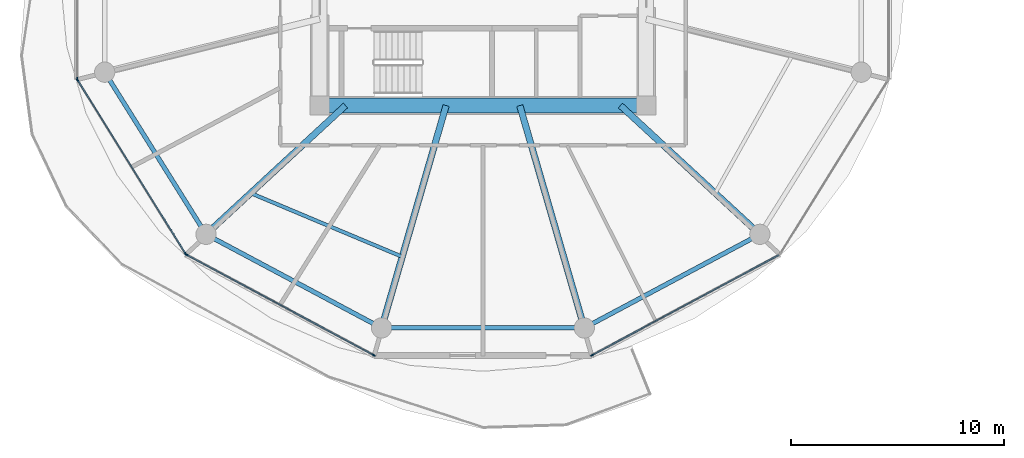
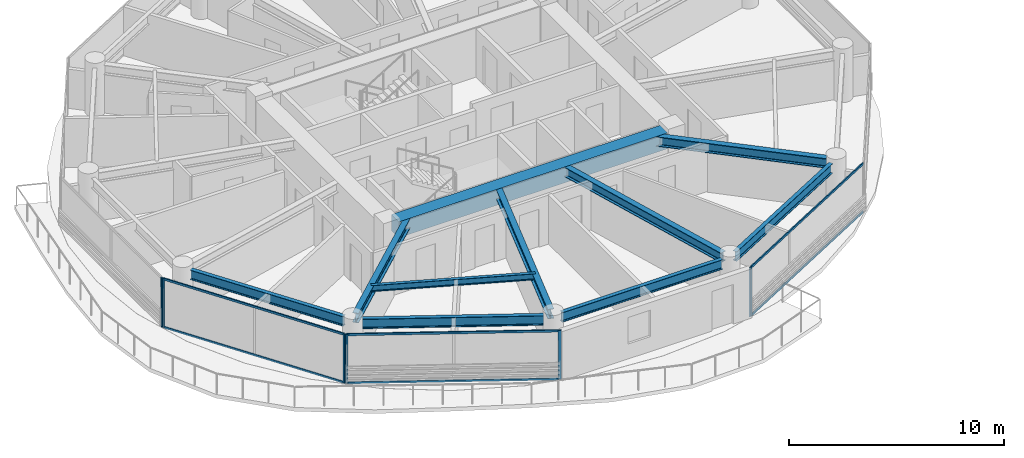
# One storey, part 2 of 27: 12 members, 10 beams, 4 elements without a shape of their own.
"""IFC4 building model written with IfcOpenShell, lengths in metres."""

from ifc_helpers import new_model, si_unit, direction, frame, origin, origin_2d, place, context, subcontext, project, spatial, rectangle, i_section, extrude, source, transform, mapped, material, layer, layer_set, material_profile, profile_set, type_object, type_shapes, element, aggregate, save


model = new_model("IFC4")

# Units and contexts
model_context = context("Model", 3, precision=1e-05, world=origin(), true_north=direction((0.0, 1.0)))
body_context = subcontext(model_context, "Body", "Model", "MODEL_VIEW")
ifc_project = project(units=[si_unit("LENGTHUNIT", "METRE"), si_unit("AREAUNIT", "SQUARE_METRE"), si_unit("VOLUMEUNIT", "CUBIC_METRE"), si_unit("PLANEANGLEUNIT", "RADIAN"), si_unit("MASSUNIT", "GRAM", prefix="KILO")], contexts=[model_context])

# Site, building, storey
site_placement = place(None, origin())
site = spatial("IfcSite", under=ifc_project, at=site_placement, CompositionType="ELEMENT")
building_placement = place(site_placement, origin())
building = spatial("IfcBuilding", under=site, at=building_placement, Name="Norrkilde Senior Care Towers", CompositionType="ELEMENT")
storey_placement = place(building_placement, frame((0.0, 0.0, 46.0)))
storey = spatial("IfcBuildingStorey", under=building, at=storey_placement, Name="L13", CompositionType="ELEMENT", Elevation=46.0)

# Beams
ifc_material_1 = material(Name="Concrete C60/75", Category="concrete")
ifc_material_profile_1 = material_profile(ifc_material_1, rectangle(XDim=0.699951171875, YDim=0.89990234375, at=origin_2d()), Name="RC BM 700x900")
ifc_profile_set_1 = profile_set([ifc_material_profile_1], Name="Concrete C60/75")
beam_type_1 = type_object("IfcBeamType", Name="Core Coupling Girder 700x900", PredefinedType="USERDEFINED", material=ifc_profile_set_1)
shared_shape_1 = source(origin(), body_context, "Body", "SweptSolid", [
    extrude(rectangle(XDim=0.699951171875, YDim=0.89990234375, at=origin_2d()), origin(), (0.0, 0.0, 1.0), 14.43994140625),
])
type_shapes(beam_type_1, [shared_shape_1])
beam_1_placement = place(storey_placement, frame((-35.219970703125, -5.949951171875, 2.340087890625), z_axis=(1.0, 0.0, 0.0), x_axis=(0.0, 1.0, 0.0)))
element("IfcBeam", 1, at=beam_1_placement, inside=storey, type_object=beam_type_1, Name="L13 Core W S Coupling Girder", ObjectType="GIRDER", PredefinedType="USERDEFINED", context=body_context, shape_type="MappedRepresentation", body=[
    mapped(shared_shape_1, transform((0.0, 0.0, 0.0), x_axis=(1.0, 0.0, 0.0), y_axis=(0.0, 1.0, 0.0), z_axis=(0.0, 0.0, 1.0), scale=1.0)),
])
ifc_material_2 = material(Name="Steel S355", Category="steel")
ifc_material_profile_2 = material_profile(ifc_material_2, i_section(OverallWidth=0.2099609375, OverallDepth=0.550048828125, WebThickness=0.010986328125, FlangeThickness=0.01708984375, FilletRadius=0.02392578125, at=origin_2d()), Name="IPE 550")
ifc_profile_set_2 = profile_set([ifc_material_profile_2], Name="Steel S355")
beam_type_2 = type_object("IfcBeamType", Name="Perimeter Ring Spandrel Z1 IPE550", PredefinedType="SPANDREL", material=ifc_profile_set_2)
shared_shape_2 = source(origin(), body_context, "Body", "SweptSolid", [
    extrude(i_section(OverallWidth=0.2099609375, OverallDepth=0.550048828125, WebThickness=0.010986328125, FlangeThickness=0.01708984375, FilletRadius=0.02392578125, at=origin_2d()), origin(), (0.0, 0.0, 1.0), 8.090576171875),
])
beam_2_placement = place(storey_placement, frame((-45.494140625, -4.755859375, 2.514892578125), z_axis=(0.530004364821, -0.84799491347, 0.0), x_axis=(0.84799491347, 0.530004364821, 0.0)))
element("IfcBeam", 2, at=beam_2_placement, inside=storey, type_object=beam_type_2, Name="L13 Drum W Perimeter Spandrel 07", PredefinedType="SPANDREL", context=body_context, shape_type="MappedRepresentation", body=[
    mapped(shared_shape_2, transform((0.0, 0.0, 0.0), x_axis=(1.0, 0.0, 0.0), y_axis=(0.0, 1.0, 0.0), z_axis=(0.0, 0.0, 1.0), scale=1.0)),
])
shared_shape_3 = source(origin(), body_context, "Body", "SweptSolid", [
    extrude(i_section(OverallWidth=0.2099609375, OverallDepth=0.550048828125, WebThickness=0.010986328125, FlangeThickness=0.01708984375, FilletRadius=0.02392578125, at=origin_2d()), origin(), (0.0, 0.0, 1.0), 8.452880859375),
])
for number, where, z_axis, x_axis, name in (
    (3, (-40.591552734375, -12.190185546875, 2.514892578125), (0.882368931134, -0.470558252898, 0.0), (0.470558252898, 0.882368931134, 0.0), "L13 Drum W Perimeter Spandrel 08"),
    (4, (-22.866943359375, -16.167724609375, 2.514892578125), (0.882368931134, 0.470558252898, 0.0), (-0.470558252898, 0.882368931134, 0.0), "L13 Drum W Perimeter Spandrel 10"),
):
    element("IfcBeam", number, at=place(storey_placement, frame(where, z_axis=z_axis, x_axis=x_axis)), inside=storey, type_object=beam_type_2, Name=name, PredefinedType="SPANDREL", context=body_context, shape_type="MappedRepresentation", body=[
        mapped(shared_shape_3, transform((0.0, 0.0, 0.0), x_axis=(1.0, 0.0, 0.0), y_axis=(0.0, 1.0, 0.0), z_axis=(0.0, 0.0, 1.0), scale=1.0)),
    ])
ifc_material_profile_3 = material_profile(ifc_material_2, i_section(OverallWidth=0.300048828125, OverallDepth=0.550048828125, WebThickness=0.014892578125, FlangeThickness=0.029052734375, FilletRadius=0.027099609375, at=origin_2d()), Name="HEB 550")
ifc_profile_set_3 = profile_set([ifc_material_profile_3], Name="Steel S355")
beam_type_3 = type_object("IfcBeamType", Name="Radial Floor Beam Z1 HEB550", PredefinedType="BEAM", material=ifc_profile_set_3)
shared_shape_4 = source(origin(), body_context, "Body", "SweptSolid", [
    extrude(i_section(OverallWidth=0.300048828125, OverallDepth=0.550048828125, WebThickness=0.014892578125, FlangeThickness=0.029052734375, FilletRadius=0.027099609375, at=origin_2d()), origin(), (0.0, 0.0, 1.0), 8.459716796875),
])
for number, where, z_axis, x_axis, name in (
    (5, (-34.44140625, -5.949951171875, 2.514892578125), (-0.734573269108, -0.678529374686, 0.0), (0.678529374686, -0.734573269108, 0.0), "L13 Drum W Radial Floor Beam 08"),
    (6, (-21.55859375, -5.949951171875, 2.514892578125), (0.734573269108, -0.678529374686, 0.0), (0.678529374686, 0.734573269108, 0.0), "L13 Drum W Radial Floor Beam 11"),
):
    element("IfcBeam", number, at=place(storey_placement, frame(where, z_axis=z_axis, x_axis=x_axis)), inside=storey, type_object=beam_type_3, Name=name, PredefinedType="BEAM", context=body_context, shape_type="MappedRepresentation", body=[
        mapped(shared_shape_4, transform((0.0, 0.0, 0.0), x_axis=(1.0, 0.0, 0.0), y_axis=(0.0, 1.0, 0.0), z_axis=(0.0, 0.0, 1.0), scale=1.0)),
    ])
shared_shape_5 = source(origin(), body_context, "Body", "SweptSolid", [
    extrude(i_section(OverallWidth=0.2099609375, OverallDepth=0.550048828125, WebThickness=0.010986328125, FlangeThickness=0.01708984375, FilletRadius=0.02392578125, at=origin_2d()), origin(), (0.0, 0.0, 1.0), 8.62841796875),
])
type_shapes(beam_type_2, [shared_shape_2, shared_shape_3, shared_shape_5])
beam_3_placement = place(storey_placement, frame((-32.314208984375, -16.37255859375, 2.514892578125), z_axis=(1.0, 0.0, 0.0), x_axis=(0.0, 1.0, 0.0)))
element("IfcBeam", 7, at=beam_3_placement, inside=storey, type_object=beam_type_2, Name="L13 Drum W Perimeter Spandrel 09", PredefinedType="SPANDREL", context=body_context, shape_type="MappedRepresentation", body=[
    mapped(shared_shape_5, transform((0.0, 0.0, 0.0), x_axis=(1.0, 0.0, 0.0), y_axis=(0.0, 1.0, 0.0), z_axis=(0.0, 0.0, 1.0), scale=1.0)),
])
shared_shape_6 = source(origin(), body_context, "Body", "SweptSolid", [
    extrude(i_section(OverallWidth=0.300048828125, OverallDepth=0.550048828125, WebThickness=0.014892578125, FlangeThickness=0.029052734375, FilletRadius=0.027099609375, at=origin_2d()), origin(), (0.0, 0.0, 1.0), 10.4169921875),
])
type_shapes(beam_type_3, [shared_shape_4, shared_shape_6])
for number, where, z_axis, x_axis, name in (
    (8, (-29.72607421875, -5.949951171875, 2.514892578125), (-0.278591250785, -0.960409764104, 0.0), (0.960409764104, -0.278591250785, 0.0), "L13 Drum W Radial Floor Beam 09"),
    (9, (-26.27392578125, -5.949951171875, 2.514892578125), (0.278591250785, -0.960409764104, 0.0), (0.960409764104, 0.278591250785, 0.0), "L13 Drum W Radial Floor Beam 10"),
):
    element("IfcBeam", number, at=place(storey_placement, frame(where, z_axis=z_axis, x_axis=x_axis)), inside=storey, type_object=beam_type_3, Name=name, PredefinedType="BEAM", context=body_context, shape_type="MappedRepresentation", body=[
        mapped(shared_shape_6, transform((0.0, 0.0, 0.0), x_axis=(1.0, 0.0, 0.0), y_axis=(0.0, 1.0, 0.0), z_axis=(0.0, 0.0, 1.0), scale=1.0)),
    ])
ifc_material_profile_4 = material_profile(ifc_material_2, i_section(OverallWidth=0.169921875, OverallDepth=0.360107421875, WebThickness=0.008056640625, FlangeThickness=0.0126953125, FilletRadius=0.01806640625, at=origin_2d()), Name="IPE 360")
ifc_profile_set_4 = profile_set([ifc_material_profile_4], Name="Steel S355")
beam_type_4 = type_object("IfcBeamType", Name="Secondary Floor Joist IPE360", PredefinedType="JOIST", material=ifc_profile_set_4)
shared_shape_7 = source(origin(), body_context, "Body", "SweptSolid", [
    extrude(i_section(OverallWidth=0.169921875, OverallDepth=0.360107421875, WebThickness=0.008056640625, FlangeThickness=0.0126953125, FilletRadius=0.01806640625, at=origin_2d()), origin(), (0.0, 0.0, 1.0), 7.703857421875),
])
type_shapes(beam_type_4, [shared_shape_7])
beam_4_placement = place(storey_placement, frame((-38.884521484375, -10.05419921875, 2.610107421875), z_axis=(0.921982784465, -0.387230868023, 0.0), x_axis=(0.387230868023, 0.921982784465, 0.0)))
element("IfcBeam", 10, at=beam_4_placement, inside=storey, type_object=beam_type_4, Name="L13 Drum W Secondary Floor Joist 3", PredefinedType="JOIST", context=body_context, shape_type="MappedRepresentation", body=[
    mapped(shared_shape_7, transform((0.0, 0.0, 0.0), x_axis=(1.0, 0.0, 0.0), y_axis=(0.0, 1.0, 0.0), z_axis=(0.0, 0.0, 1.0), scale=1.0)),
])

# Curtain wall, member
ifc_material_3 = material(Name="Triple Low-E Insulated Glazing", Category="glass")
ifc_layer = layer(ifc_material_3, 0.199951171875)
ifc_layer_set = layer_set([ifc_layer], Name="Triple Low-E Insulated Glazing")
curtain_wall_type = type_object("IfcCurtainWallType", Name="CW2 Zone 1 Memory Care Curtain Wall", PredefinedType="NOTDEFINED", material=ifc_layer_set)
curtain_wall_1_placement = place(storey_placement, origin())
curtain_wall_1 = element("IfcCurtainWall", 11, at=curtain_wall_1_placement, inside=storey, type_object=curtain_wall_type, Name="L13 Drum W Curtain Wall 05", PredefinedType="NOTDEFINED")
ifc_material_4 = material(Name="Anodised Aluminium", Category="aluminium")
ifc_material_profile_5 = material_profile(ifc_material_4, rectangle(XDim=0.06494140625, YDim=0.159912109375, at=origin_2d()), Name="ALU MULL 65x160")
ifc_profile_set_5 = profile_set([ifc_material_profile_5], Name="Anodised Aluminium")
member_type_1 = type_object("IfcMemberType", Name="Curtain Wall Mullion Z1-Z2 65x160", PredefinedType="MULLION", material=ifc_profile_set_5)
shared_shape_8 = source(origin(), body_context, "Body", "SweptSolid", [
    extrude(rectangle(XDim=0.06494140625, YDim=0.159912109375, at=origin_2d()), origin(), (0.0, 0.0, 1.0), 2.7900390625),
])
type_shapes(member_type_1, [shared_shape_8])
member_1_placement = place(storey_placement, frame((-47.009521484375, -4.69873046875, 0.0), z_axis=(0.0, 0.0, 1.0), x_axis=(-1.0, 0.0, 0.0)))
member_1 = element("IfcMember", 12, at=member_1_placement, type_object=member_type_1, Name="CW-2 mullion 1", PredefinedType="MULLION", context=body_context, shape_type="MappedRepresentation", body=[
    mapped(shared_shape_8, transform((0.0, 0.0, 0.0), x_axis=(1.0, 0.0, 0.0), y_axis=(0.0, 1.0, 0.0), z_axis=(0.0, 0.0, 1.0), scale=1.0)),
])
aggregate(curtain_wall_1, [member_1])

# Curtain wall, members
curtain_wall_2_placement = place(storey_placement, origin())
curtain_wall_2 = element("IfcCurtainWall", 13, at=curtain_wall_2_placement, inside=storey, type_object=curtain_wall_type, Name="L13 Drum W Curtain Wall 06", PredefinedType="NOTDEFINED")
member_2_placement = place(storey_placement, frame((-41.93310546875, -12.898193359375, 0.0), z_axis=(0.0, 0.0, 1.0), x_axis=(-0.849305943117, -0.527900951871, 0.0)))
member_2 = element("IfcMember", 14, at=member_2_placement, type_object=member_type_1, Name="CW-2 mullion 1", PredefinedType="MULLION", context=body_context, shape_type="MappedRepresentation", body=[
    mapped(shared_shape_8, transform((0.0, 0.0, 0.0), x_axis=(1.0, 0.0, 0.0), y_axis=(0.0, 1.0, 0.0), z_axis=(0.0, 0.0, 1.0), scale=1.0)),
])
member_3_placement = place(storey_placement, frame((-46.9921875, -4.7587890625, 0.0), z_axis=(0.0, 0.0, 1.0), x_axis=(-0.849305943117, -0.527900951871, 0.0)))
member_3 = element("IfcMember", 15, at=member_3_placement, type_object=member_type_1, Name="CW-2 mullion 2", PredefinedType="MULLION", context=body_context, shape_type="MappedRepresentation", body=[
    mapped(shared_shape_8, transform((0.0, 0.0, 0.0), x_axis=(1.0, 0.0, 0.0), y_axis=(0.0, 1.0, 0.0), z_axis=(0.0, 0.0, 1.0), scale=1.0)),
])

curtain_wall_3_placement = place(storey_placement, origin())
curtain_wall_3 = element("IfcCurtainWall", 16, at=curtain_wall_3_placement, inside=storey, type_object=curtain_wall_type, Name="L13 Drum W Curtain Wall 07", PredefinedType="NOTDEFINED")
member_4_placement = place(storey_placement, frame((-33.122314453125, -17.641845703125, 0.0), z_axis=(0.0, 0.0, 1.0), x_axis=(-0.472607802456, -0.881272866403, 0.0)))
member_4 = element("IfcMember", 17, at=member_4_placement, type_object=member_type_1, Name="CW-2 mullion 1", PredefinedType="MULLION", context=body_context, shape_type="MappedRepresentation", body=[
    mapped(shared_shape_8, transform((0.0, 0.0, 0.0), x_axis=(1.0, 0.0, 0.0), y_axis=(0.0, 1.0, 0.0), z_axis=(0.0, 0.0, 1.0), scale=1.0)),
])
member_5_placement = place(storey_placement, frame((-41.88720703125, -12.941162109375, 0.0), z_axis=(0.0, 0.0, 1.0), x_axis=(-0.472607802456, -0.881272866403, 0.0)))
member_5 = element("IfcMember", 18, at=member_5_placement, type_object=member_type_1, Name="CW-2 mullion 2", PredefinedType="MULLION", context=body_context, shape_type="MappedRepresentation", body=[
    mapped(shared_shape_8, transform((0.0, 0.0, 0.0), x_axis=(1.0, 0.0, 0.0), y_axis=(0.0, 1.0, 0.0), z_axis=(0.0, 0.0, 1.0), scale=1.0)),
])

# Curtain wall, member
curtain_wall_4_placement = place(storey_placement, origin())
curtain_wall_4 = element("IfcCurtainWall", 19, at=curtain_wall_4_placement, inside=storey, type_object=curtain_wall_type, Name="L13 Drum W Curtain Wall 09", PredefinedType="NOTDEFINED")
member_6_placement = place(storey_placement, frame((-22.877685546875, -17.641845703125, 0.0), z_axis=(0.0, 0.0, 1.0), x_axis=(0.472607802456, -0.881272866403, 0.0)))
member_6 = element("IfcMember", 20, at=member_6_placement, type_object=member_type_1, Name="CW-2 mullion 2", PredefinedType="MULLION", context=body_context, shape_type="MappedRepresentation", body=[
    mapped(shared_shape_8, transform((0.0, 0.0, 0.0), x_axis=(1.0, 0.0, 0.0), y_axis=(0.0, 1.0, 0.0), z_axis=(0.0, 0.0, 1.0), scale=1.0)),
])

# Member
ifc_material_profile_6 = material_profile(ifc_material_4, rectangle(XDim=0.06005859375, YDim=0.1201171875, at=origin_2d()), Name="ALU TRAN 60x120")
ifc_profile_set_6 = profile_set([ifc_material_profile_6], Name="Anodised Aluminium")
member_type_2 = type_object("IfcMemberType", Name="Curtain Wall Transom Typical 60x120", PredefinedType="USERDEFINED", material=ifc_profile_set_6)
shared_shape_9 = source(origin(), body_context, "Body", "SweptSolid", [
    extrude(rectangle(XDim=0.06005859375, YDim=0.1201171875, at=origin_2d()), origin(), (0.0, 0.0, 1.0), 9.5185546875),
])
member_7_placement = place(storey_placement, frame((-41.9501953125, -12.87060546875, 0.030029296875), z_axis=(-0.527901620669, 0.849305527413, 0.0), x_axis=(-0.849305527413, -0.527901620669, 0.0)))
member_7 = element("IfcMember", 21, at=member_7_placement, type_object=member_type_2, Name="CW-2 transom 1.1", ObjectType="TRANSOM", PredefinedType="USERDEFINED", context=body_context, shape_type="MappedRepresentation", body=[
    mapped(shared_shape_9, transform((0.0, 0.0, 0.0), x_axis=(1.0, 0.0, 0.0), y_axis=(0.0, 1.0, 0.0), z_axis=(0.0, 0.0, 1.0), scale=1.0)),
])

member_8_placement = place(storey_placement, frame((-41.9501953125, -12.87060546875, 2.760009765625), z_axis=(-0.527901620669, 0.849305527413, 0.0), x_axis=(-0.849305527413, -0.527901620669, 0.0)))
member_8 = element("IfcMember", 22, at=member_8_placement, type_object=member_type_2, Name="CW-2 transom 1.2", ObjectType="TRANSOM", PredefinedType="USERDEFINED", context=body_context, shape_type="MappedRepresentation", body=[
    mapped(shared_shape_9, transform((0.0, 0.0, 0.0), x_axis=(1.0, 0.0, 0.0), y_axis=(0.0, 1.0, 0.0), z_axis=(0.0, 0.0, 1.0), scale=1.0)),
])

aggregate(curtain_wall_2, [member_2, member_3, member_7, member_8])

shared_shape_10 = source(origin(), body_context, "Body", "SweptSolid", [
    extrude(rectangle(XDim=0.06005859375, YDim=0.1201171875, at=origin_2d()), origin(), (0.0, 0.0, 1.0), 9.880859375),
])
type_shapes(member_type_2, [shared_shape_9, shared_shape_10])
member_9_placement = place(storey_placement, frame((-33.15087890625, -17.62646484375, 0.030029296875), z_axis=(-0.881267204043, 0.47261836092, 0.0), x_axis=(-0.47261836092, -0.881267204043, 0.0)))
member_9 = element("IfcMember", 23, at=member_9_placement, type_object=member_type_2, Name="CW-2 transom 1.1", ObjectType="TRANSOM", PredefinedType="USERDEFINED", context=body_context, shape_type="MappedRepresentation", body=[
    mapped(shared_shape_10, transform((0.0, 0.0, 0.0), x_axis=(1.0, 0.0, 0.0), y_axis=(0.0, 1.0, 0.0), z_axis=(0.0, 0.0, 1.0), scale=1.0)),
])

member_10_placement = place(storey_placement, frame((-33.15087890625, -17.62646484375, 2.760009765625), z_axis=(-0.881267204043, 0.47261836092, 0.0), x_axis=(-0.47261836092, -0.881267204043, 0.0)))
member_10 = element("IfcMember", 24, at=member_10_placement, type_object=member_type_2, Name="CW-2 transom 1.2", ObjectType="TRANSOM", PredefinedType="USERDEFINED", context=body_context, shape_type="MappedRepresentation", body=[
    mapped(shared_shape_10, transform((0.0, 0.0, 0.0), x_axis=(1.0, 0.0, 0.0), y_axis=(0.0, 1.0, 0.0), z_axis=(0.0, 0.0, 1.0), scale=1.0)),
])

aggregate(curtain_wall_3, [member_4, member_5, member_9, member_10])

member_11_placement = place(storey_placement, frame((-14.141357421875, -12.95654296875, 0.030029296875), z_axis=(-0.881267204043, -0.47261836092, 0.0), x_axis=(0.47261836092, -0.881267204043, 0.0)))
member_11 = element("IfcMember", 25, at=member_11_placement, type_object=member_type_2, Name="CW-2 transom 1.1", ObjectType="TRANSOM", PredefinedType="USERDEFINED", context=body_context, shape_type="MappedRepresentation", body=[
    mapped(shared_shape_10, transform((0.0, 0.0, 0.0), x_axis=(1.0, 0.0, 0.0), y_axis=(0.0, 1.0, 0.0), z_axis=(0.0, 0.0, 1.0), scale=1.0)),
])

member_12_placement = place(storey_placement, frame((-14.141357421875, -12.95654296875, 2.760009765625), z_axis=(-0.881267204043, -0.47261836092, 0.0), x_axis=(0.47261836092, -0.881267204043, 0.0)))
member_12 = element("IfcMember", 26, at=member_12_placement, type_object=member_type_2, Name="CW-2 transom 1.2", ObjectType="TRANSOM", PredefinedType="USERDEFINED", context=body_context, shape_type="MappedRepresentation", body=[
    mapped(shared_shape_10, transform((0.0, 0.0, 0.0), x_axis=(1.0, 0.0, 0.0), y_axis=(0.0, 1.0, 0.0), z_axis=(0.0, 0.0, 1.0), scale=1.0)),
])

aggregate(curtain_wall_4, [member_6, member_11, member_12])

save(model, "model.ifc")
